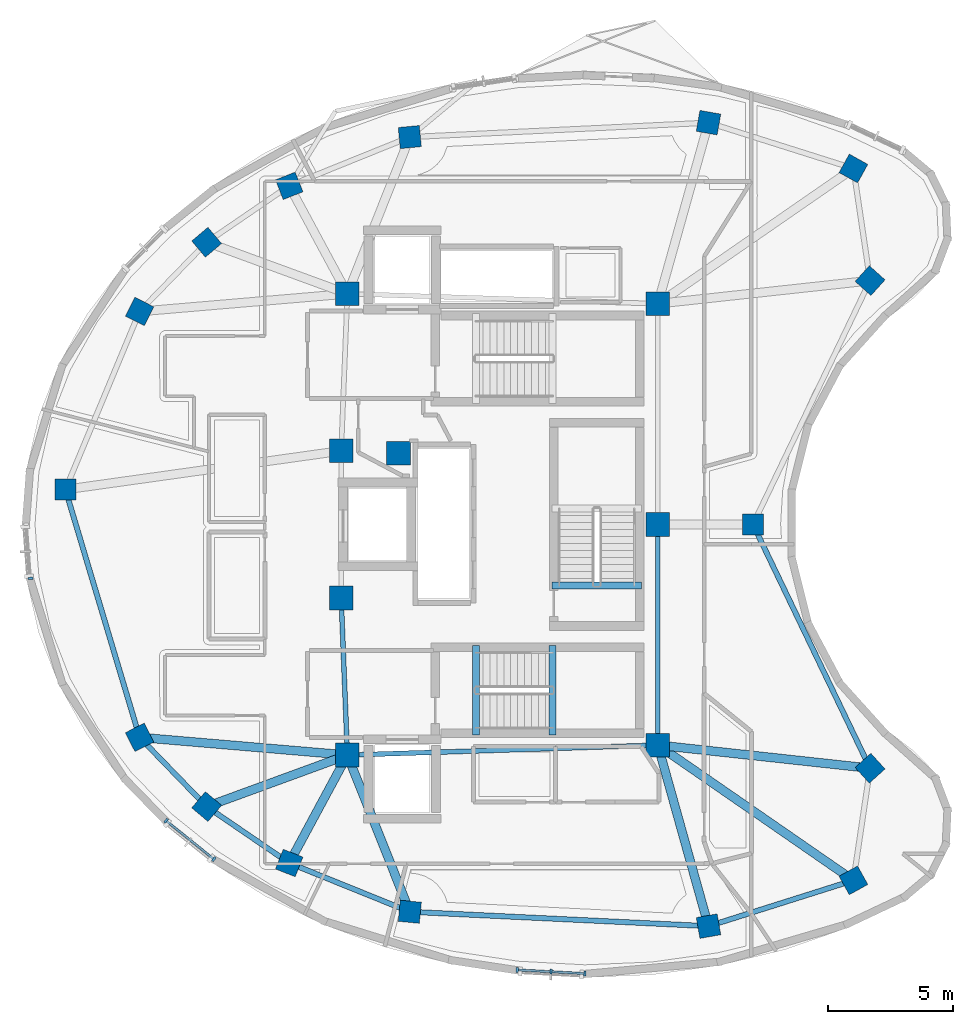
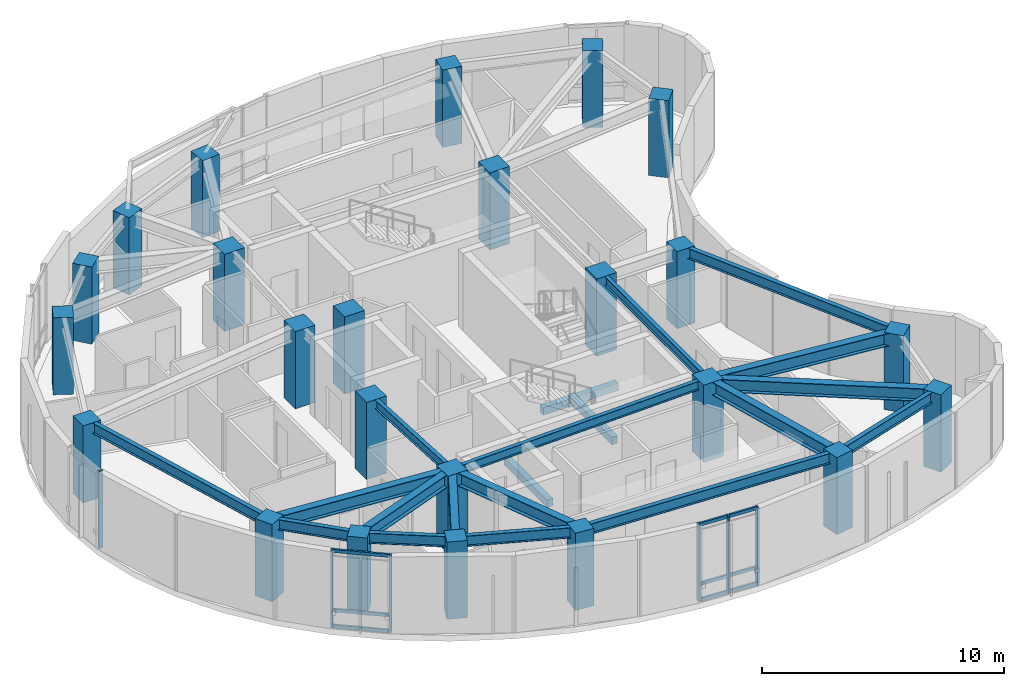
# One storey, part 1 of 10: 24 columns, 20 beams, 15 members, 3 elements without a shape of their own.
"""IFC4 building model written with IfcOpenShell, lengths in metres."""

from ifc_helpers import new_model, si_unit, direction, frame, origin, origin_2d, place, context, subcontext, project, spatial, rectangle, i_section, extrude, material, layer, layer_set, material_profile, profile_set, type_object, element, aggregate, save


model = new_model("IFC4")

# Units and contexts
model_context = context("Model", 3, precision=1e-05, world=origin(), true_north=direction((0.0, 1.0)))
body_context = subcontext(model_context, "Body", "Model", "MODEL_VIEW")
ifc_project = project(units=[si_unit("LENGTHUNIT", "METRE"), si_unit("AREAUNIT", "SQUARE_METRE"), si_unit("VOLUMEUNIT", "CUBIC_METRE"), si_unit("PLANEANGLEUNIT", "RADIAN"), si_unit("MASSUNIT", "GRAM", prefix="KILO")], contexts=[model_context])

# Site, building, storey
site_placement = place(None, origin())
site = spatial("IfcSite", under=ifc_project, at=site_placement, CompositionType="ELEMENT")
building_placement = place(site_placement, origin())
building = spatial("IfcBuilding", under=site, at=building_placement, Name="Korentha Bioscience Tower", CompositionType="ELEMENT")
storey_placement = place(building_placement, frame((0.0, 0.0, 306.0)))
storey = spatial("IfcBuildingStorey", under=building, at=storey_placement, Name="L70", CompositionType="ELEMENT", Elevation=306.0)

# Columns
ifc_material_1 = material(Name="Concrete C65", Category="concrete")
ifc_material_profile_1 = material_profile(ifc_material_1, rectangle(XDim=0.949951171875, YDim=0.949951171875, at=origin_2d()), Name="Concrete C65")
ifc_profile_set_1 = profile_set([ifc_material_profile_1], Name="Concrete C65 (COL-CP09)")
column_type_1 = type_object("IfcColumnType", Name="Core Pilaster Column RC 950x950", PredefinedType="PILASTER", material=ifc_profile_set_1)
for number, where, z_axis, x_axis, name in (
    (1, (37.550048828125, 35.85009765625, -0.00048828125), (0.0, 0.0, 1.0), (1.0, 0.0, 0.0), "L70 Core Pilaster CP-01"),
    (2, (25.10009765625, 36.25, -0.00048828125), (0.0, 0.0, 1.0), (1.0, 0.0, 0.0), "L70 Core Pilaster CP-02"),
    (3, (24.85009765625, 29.949951171875, -0.00048828125), (0.0, 0.0, 1.0), (1.0, 0.0, 0.0), "L70 Core Pilaster CP-03"),
    (4, (27.14990234375, 29.85009765625, -0.00048828125), (0.0, 0.0, 1.0), (1.0, 0.0, 0.0), "L70 Core Pilaster CP-04"),
    (5, (24.85009765625, 24.050048828125, -0.00048828125), (0.0, 0.0, 1.0), (1.0, 0.0, 0.0), "L70 Core Pilaster CP-05"),
    (6, (25.10009765625, 17.75, -0.00048828125), (0.0, 0.0, 1.0), (1.0, 0.0, 0.0), "L70 Core Pilaster CP-06"),
    (7, (37.550048828125, 18.14990234375, -0.00048828125), (0.0, 0.0, 1.0), (1.0, 0.0, 0.0), "L70 Core Pilaster CP-07"),
    (8, (37.550048828125, 27.0, -0.00048828125), (0.0, 0.0, 1.0), (1.0, 0.0, 0.0), "L70 Core Pilaster CP-08"),
):
    element("IfcColumn", number, at=place(storey_placement, frame(where, z_axis=z_axis, x_axis=x_axis)), inside=storey, type_object=column_type_1, Name=name, PredefinedType="PILASTER", context=body_context, shape_type="SweptSolid", body=[
        extrude(rectangle(XDim=0.949951171875, YDim=0.949951171875, at=origin_2d()), origin(), (0.0, 0.0, 1.0), 3.90087890625),
    ])
ifc_material_2 = material(Name="Concrete C50", Category="concrete")
ifc_material_profile_2 = material_profile(ifc_material_2, rectangle(XDim=0.85009765625, YDim=0.85009765625, at=origin_2d()), Name="Concrete C50")
ifc_profile_set_2 = profile_set([ifc_material_profile_2], Name="Concrete C50 (COL-P08)")
column_type_2 = type_object("IfcColumnType", Name="Perimeter Column RC 850x850", PredefinedType="COLUMN", material=ifc_profile_set_2)
for number, where, z_axis, x_axis, name in (
    (9, (45.393310546875, 41.273681640625, -0.00048828125), (0.0, 0.0, 1.0), (-0.874535078577, 0.484962262797, 0.0), "L70 Perimeter Column 01"),
    (10, (39.581787109375, 43.110595703125, -0.00048828125), (0.0, 0.0, 1.0), (-0.984868307662, 0.173304404339, 0.0), "L70 Perimeter Column 02"),
    (11, (27.60205078125, 42.53369140625, -0.00048828125), (0.0, 0.0, 1.0), (0.995462868748, 0.095150811579, 0.0), "L70 Perimeter Column 03"),
    (12, (22.766357421875, 40.57861328125, -0.00048828125), (0.0, 0.0, 1.0), (0.930225540858, 0.366988341962, 0.0), "L70 Perimeter Column 04"),
    (13, (19.455810546875, 38.315185546875, -0.00048828125), (0.0, 0.0, 1.0), (0.764246456939, 0.644924300253, 0.0), "L70 Perimeter Column 05"),
    (14, (16.76708984375, 35.53955078125, -0.00048828125), (0.0, 0.0, 1.0), (0.453057191132, 0.891481453292, 0.0), "L70 Perimeter Column 06"),
    (15, (13.791015625, 28.398681640625, -0.00048828125), (0.0, 0.0, 1.0), (0.0, 1.0, 0.0), "L70 Perimeter Column 07"),
    (16, (16.76708984375, 18.46044921875, -0.00048828125), (0.0, 0.0, 1.0), (-0.453057191132, 0.891481453292, 0.0), "L70 Perimeter Column 08"),
    (17, (19.455810546875, 15.684814453125, -0.00048828125), (0.0, 0.0, 1.0), (-0.764246456939, 0.644924300253, 0.0), "L70 Perimeter Column 09"),
    (18, (22.766357421875, 13.42138671875, -0.00048828125), (0.0, 0.0, 1.0), (-0.930225540858, 0.366988341962, 0.0), "L70 Perimeter Column 10"),
    (19, (27.60205078125, 11.46630859375, -0.00048828125), (0.0, 0.0, 1.0), (-0.995462868748, 0.095150811579, 0.0), "L70 Perimeter Column 11"),
    (20, (39.581787109375, 10.889404296875, -0.00048828125), (0.0, 0.0, 1.0), (0.984868307662, 0.173304404339, 0.0), "L70 Perimeter Column 12"),
    (21, (45.393310546875, 12.726318359375, -0.00048828125), (0.0, 0.0, 1.0), (0.874535078577, 0.484962262797, 0.0), "L70 Perimeter Column 13"),
    (22, (46.060791015625, 17.22265625, -0.00048828125), (0.0, 0.0, 1.0), (-0.669130606359, 0.743144825477, 0.0), "L70 Perimeter Column 14"),
    (23, (41.36572265625, 27.0, -0.00048828125), (0.0, 0.0, 1.0), (0.0, 1.0, 0.0), "L70 Perimeter Column 15"),
    (24, (46.060791015625, 36.77734375, -0.00048828125), (0.0, 0.0, 1.0), (0.669130606359, 0.743144825477, 0.0), "L70 Perimeter Column 16"),
):
    element("IfcColumn", number, at=place(storey_placement, frame(where, z_axis=z_axis, x_axis=x_axis)), inside=storey, type_object=column_type_2, Name=name, PredefinedType="COLUMN", context=body_context, shape_type="SweptSolid", body=[
        extrude(rectangle(XDim=0.85009765625, YDim=0.85009765625, at=origin_2d()), origin(), (0.0, 0.0, 1.0), 3.90087890625),
    ])

# Beams
ifc_material_profile_3 = material_profile(ifc_material_2, rectangle(XDim=0.280029296875, YDim=0.3798828125, at=origin_2d()), Name="Concrete C50")
ifc_profile_set_3 = profile_set([ifc_material_profile_3], Name="Concrete C50 (ST-HB380)")
beam_type_1 = type_object("IfcBeamType", Name="Concrete Stair Header Beam RC 280x380", PredefinedType="BEAM", material=ifc_profile_set_3)
for number, where, z_axis, x_axis, name in (
    (25, (30.25, 18.550048828125, -0.18994140625), (0.0, 1.0, 0.0), (-1.0, 0.0, 0.0), "L70 ST-2 Concrete Stair Header Beam"),
    (26, (33.330078125, 18.550048828125, 1.909912109375), (0.0, 1.0, 0.0), (-1.0, 0.0, 0.0), "L70 ST-2 Half-Landing Header Beam 1"),
    (27, (36.89990234375, 24.550048828125, -0.18994140625), (-1.0, 0.0, 0.0), (0.0, -1.0, 0.0), "L70 ST-3 Concrete Stair Header Beam"),
):
    element("IfcBeam", number, at=place(storey_placement, frame(where, z_axis=z_axis, x_axis=x_axis)), inside=storey, type_object=beam_type_1, Name=name, PredefinedType="BEAM", context=body_context, shape_type="SweptSolid", body=[
        extrude(rectangle(XDim=0.280029296875, YDim=0.3798828125, at=origin_2d()), origin(), (0.0, 0.0, 1.0), 3.599853515625),
    ])
ifc_material_3 = material(Name="Steel S355", Category="steel")
ifc_material_profile_4 = material_profile(ifc_material_3, i_section(OverallWidth=0.18994140625, OverallDepth=0.45703125, WebThickness=0.009033203125, FlangeThickness=0.014404296875, at=origin_2d()), Name="Steel S355")
ifc_profile_set_4 = profile_set([ifc_material_profile_4], Name="Steel S355 (MB-460)")
beam_type_2 = type_object("IfcBeamType", Name="Mid-Ring Tie Girder W460x74", PredefinedType="BEAM", material=ifc_profile_set_4)
beam_1_placement = place(storey_placement, frame((24.85009765625, 24.050048828125, 3.67138671875), z_axis=(0.039651025576, -0.999213588864, 0.0), x_axis=(0.999213588864, 0.039651025576, 0.0)))
element("IfcBeam", 28, at=beam_1_placement, inside=storey, type_object=beam_type_2, Name="L70 Core Ring Tie Girder 04", PredefinedType="BEAM", context=body_context, shape_type="SweptSolid", body=[
    extrude(i_section(OverallWidth=0.18994140625, OverallDepth=0.45703125, WebThickness=0.009033203125, FlangeThickness=0.014404296875, at=origin_2d()), origin(), (0.0, 0.0, 1.0), 6.304931640625),
])
beam_2_placement = place(storey_placement, frame((25.10009765625, 17.75, 3.67138671875), z_axis=(0.999484526071, 0.032104238723, 0.0), x_axis=(-0.032104238723, 0.999484526071, 0.0)))
element("IfcBeam", 29, at=beam_2_placement, inside=storey, type_object=beam_type_2, Name="L70 Core Ring Tie Girder 05", PredefinedType="BEAM", context=body_context, shape_type="SweptSolid", body=[
    extrude(i_section(OverallWidth=0.18994140625, OverallDepth=0.45703125, WebThickness=0.009033203125, FlangeThickness=0.014404296875, at=origin_2d()), origin(), (0.0, 0.0, 1.0), 12.456298828125),
])
beam_3_placement = place(storey_placement, frame((37.550048828125, 18.14990234375, 3.67138671875), z_axis=(0.0, 1.0, 0.0), x_axis=(-1.0, 0.0, 0.0)))
element("IfcBeam", 30, at=beam_3_placement, inside=storey, type_object=beam_type_2, Name="L70 Core Ring Tie Girder 06", PredefinedType="BEAM", context=body_context, shape_type="SweptSolid", body=[
    extrude(i_section(OverallWidth=0.18994140625, OverallDepth=0.45703125, WebThickness=0.009033203125, FlangeThickness=0.014404296875, at=origin_2d()), origin(), (0.0, 0.0, 1.0), 8.85009765625),
])

# Curtain wall, member
ifc_material_4 = material(Name="Thermally Broken Aluminium Frame", Category="aluminium")
ifc_layer = layer(ifc_material_4, 0.219970703125, Name="Thermally Broken Aluminium Frame")
ifc_layer_set = layer_set([ifc_layer], Name="Thermally Broken Aluminium Frame (CW-T2)")
curtain_wall_type = type_object("IfcCurtainWallType", Name="Solar-Screened Lab Unitised Curtain Wall CW-T2", PredefinedType="USERDEFINED", material=ifc_layer_set)
curtain_wall_1_placement = place(storey_placement, origin())
curtain_wall_1 = element("IfcCurtainWall", 31, at=curtain_wall_1_placement, inside=storey, type_object=curtain_wall_type, Name="L70 Curtain Wall 19", ObjectType="UNITISED", PredefinedType="USERDEFINED")
ifc_material_5 = material(Name="Anodised Aluminium 6063-T6", Category="aluminium")
ifc_material_profile_5 = material_profile(ifc_material_5, rectangle(XDim=0.090087890625, YDim=0.199951171875, at=origin_2d()), Name="Anodised Aluminium 6063-T6")
ifc_profile_set_5 = profile_set([ifc_material_profile_5], Name="Anodised Aluminium 6063-T6 (CW-MUL)")
member_type_1 = type_object("IfcMemberType", Name="Mullion RECT 90x200", PredefinedType="MULLION", material=ifc_profile_set_5)
member_1_placement = place(storey_placement, frame((12.38427734375, 24.83740234375, 0.0), z_axis=(0.0, 0.0, 1.0), x_axis=(0.075073021346, -0.997178039001, 0.0)))
member_1 = element("IfcMember", 32, at=member_1_placement, type_object=member_type_1, Name="CW-L70-19 Mullion 2", PredefinedType="MULLION", context=body_context, shape_type="SweptSolid", body=[
    extrude(rectangle(XDim=0.090087890625, YDim=0.199951171875, at=origin_2d()), origin(), (0.0, 0.0, 1.0), 3.89990234375),
])
aggregate(curtain_wall_1, [member_1])

# Curtain wall, members
curtain_wall_2_placement = place(storey_placement, origin())
curtain_wall_2 = element("IfcCurtainWall", 33, at=curtain_wall_2_placement, inside=storey, type_object=curtain_wall_type, Name="L70 Curtain Wall 25", ObjectType="UNITISED", PredefinedType="USERDEFINED")
member_2_placement = place(storey_placement, frame((17.829345703125, 15.1201171875, 0.0), z_axis=(0.0, 0.0, 1.0), x_axis=(0.778807101094, -0.62726350068, 0.0)))
member_2 = element("IfcMember", 34, at=member_2_placement, type_object=member_type_1, Name="CW-L70-25 Mullion 1", PredefinedType="MULLION", context=body_context, shape_type="SweptSolid", body=[
    extrude(rectangle(XDim=0.090087890625, YDim=0.199951171875, at=origin_2d()), origin(), (0.0, 0.0, 1.0), 3.89990234375),
])
member_3_placement = place(storey_placement, frame((19.74609375, 13.576171875, 0.0), z_axis=(0.0, 0.0, 1.0), x_axis=(0.778807101094, -0.62726350068, 0.0)))
member_3 = element("IfcMember", 35, at=member_3_placement, type_object=member_type_1, Name="CW-L70-25 Mullion 2", PredefinedType="MULLION", context=body_context, shape_type="SweptSolid", body=[
    extrude(rectangle(XDim=0.090087890625, YDim=0.199951171875, at=origin_2d()), origin(), (0.0, 0.0, 1.0), 3.89990234375),
])

curtain_wall_3_placement = place(storey_placement, origin())
curtain_wall_3 = element("IfcCurtainWall", 36, at=curtain_wall_3_placement, inside=storey, type_object=curtain_wall_type, Name="L70 Curtain Wall 31", ObjectType="UNITISED", PredefinedType="USERDEFINED")
member_4_placement = place(storey_placement, frame((31.909423828125, 9.13623046875, 0.0), z_axis=(0.0, 0.0, 1.0), x_axis=(0.998526001182, -0.054275454513, 0.0)))
member_4 = element("IfcMember", 37, at=member_4_placement, type_object=member_type_1, Name="CW-L70-31 Mullion 1", PredefinedType="MULLION", context=body_context, shape_type="SweptSolid", body=[
    extrude(rectangle(XDim=0.090087890625, YDim=0.199951171875, at=origin_2d()), origin(), (0.0, 0.0, 1.0), 3.89990234375),
])
member_5_placement = place(storey_placement, frame((33.267333984375, 9.0625, 0.0), z_axis=(0.0, 0.0, 1.0), x_axis=(0.998526001182, -0.054275454513, 0.0)))
member_5 = element("IfcMember", 38, at=member_5_placement, type_object=member_type_1, Name="CW-L70-31 Mullion 2", PredefinedType="MULLION", context=body_context, shape_type="SweptSolid", body=[
    extrude(rectangle(XDim=0.090087890625, YDim=0.199951171875, at=origin_2d()), origin(), (0.0, 0.0, 1.0), 3.89990234375),
])
member_6_placement = place(storey_placement, frame((34.625244140625, 8.988525390625, 0.0), z_axis=(0.0, 0.0, 1.0), x_axis=(0.998526001182, -0.054275454513, 0.0)))
member_6 = element("IfcMember", 39, at=member_6_placement, type_object=member_type_1, Name="CW-L70-31 Mullion 3", PredefinedType="MULLION", context=body_context, shape_type="SweptSolid", body=[
    extrude(rectangle(XDim=0.090087890625, YDim=0.199951171875, at=origin_2d()), origin(), (0.0, 0.0, 1.0), 3.89990234375),
])

# Beams
ifc_material_profile_6 = material_profile(ifc_material_3, i_section(OverallWidth=0.208984375, OverallDepth=0.532958984375, WebThickness=0.01025390625, FlangeThickness=0.015625, at=origin_2d()), Name="Steel S355")
ifc_profile_set_6 = profile_set([ifc_material_profile_6], Name="Steel S355 (SB-530)")
beam_type_3 = type_object("IfcBeamType", Name="Perimeter Ring Spandrel Girder W530x92", PredefinedType="SPANDREL", material=ifc_profile_set_6)
beam_4_placement = place(storey_placement, frame((13.791015625, 28.398681640625, 3.633544921875), z_axis=(0.286870707223, -0.957969309183, 0.0), x_axis=(0.957969309183, 0.286870707223, 0.0)))
element("IfcBeam", 40, at=beam_4_placement, inside=storey, type_object=beam_type_3, Name="L70 Perimeter Spandrel Girder 07", PredefinedType="SPANDREL", context=body_context, shape_type="SweptSolid", body=[
    extrude(i_section(OverallWidth=0.208984375, OverallDepth=0.532958984375, WebThickness=0.01025390625, FlangeThickness=0.015625, at=origin_2d()), origin(), (0.0, 0.0, 1.0), 10.374267578125),
])
beam_5_placement = place(storey_placement, frame((16.76708984375, 18.46044921875, 3.633544921875), z_axis=(0.695771790517, -0.718262915317, 0.0), x_axis=(0.718262915317, 0.695771790517, 0.0)))
element("IfcBeam", 41, at=beam_5_placement, inside=storey, type_object=beam_type_3, Name="L70 Perimeter Spandrel Girder 08", PredefinedType="SPANDREL", context=body_context, shape_type="SweptSolid", body=[
    extrude(i_section(OverallWidth=0.208984375, OverallDepth=0.532958984375, WebThickness=0.01025390625, FlangeThickness=0.015625, at=origin_2d()), origin(), (0.0, 0.0, 1.0), 3.8642578125),
])
beam_6_placement = place(storey_placement, frame((19.455810546875, 15.684814453125, 3.633544921875), z_axis=(0.825502824703, -0.564397985828, 0.0), x_axis=(0.564397985828, 0.825502824703, 0.0)))
element("IfcBeam", 42, at=beam_6_placement, inside=storey, type_object=beam_type_3, Name="L70 Perimeter Spandrel Girder 09", PredefinedType="SPANDREL", context=body_context, shape_type="SweptSolid", body=[
    extrude(i_section(OverallWidth=0.208984375, OverallDepth=0.532958984375, WebThickness=0.01025390625, FlangeThickness=0.015625, at=origin_2d()), origin(), (0.0, 0.0, 1.0), 4.01025390625),
])
beam_7_placement = place(storey_placement, frame((22.766357421875, 13.42138671875, 3.633544921875), z_axis=(0.92709518526, -0.374825982913, 0.0), x_axis=(0.374825982913, 0.92709518526, 0.0)))
element("IfcBeam", 43, at=beam_7_placement, inside=storey, type_object=beam_type_3, Name="L70 Perimeter Spandrel Girder 10", PredefinedType="SPANDREL", context=body_context, shape_type="SweptSolid", body=[
    extrude(i_section(OverallWidth=0.208984375, OverallDepth=0.532958984375, WebThickness=0.01025390625, FlangeThickness=0.015625, at=origin_2d()), origin(), (0.0, 0.0, 1.0), 5.216064453125),
])
beam_8_placement = place(storey_placement, frame((27.60205078125, 11.46630859375, 3.633544921875), z_axis=(0.998842480099, -0.04810093502, 0.0), x_axis=(0.04810093502, 0.998842480099, 0.0)))
element("IfcBeam", 44, at=beam_8_placement, inside=storey, type_object=beam_type_3, Name="L70 Perimeter Spandrel Girder 11", PredefinedType="SPANDREL", context=body_context, shape_type="SweptSolid", body=[
    extrude(i_section(OverallWidth=0.208984375, OverallDepth=0.532958984375, WebThickness=0.01025390625, FlangeThickness=0.015625, at=origin_2d()), origin(), (0.0, 0.0, 1.0), 11.99365234375),
])
beam_9_placement = place(storey_placement, frame((39.581787109375, 10.889404296875, 3.633544921875), z_axis=(0.953502720539, 0.301384408895, 0.0), x_axis=(-0.301384408895, 0.953502720539, 0.0)))
element("IfcBeam", 45, at=beam_9_placement, inside=storey, type_object=beam_type_3, Name="L70 Perimeter Spandrel Girder 12", PredefinedType="SPANDREL", context=body_context, shape_type="SweptSolid", body=[
    extrude(i_section(OverallWidth=0.208984375, OverallDepth=0.532958984375, WebThickness=0.01025390625, FlangeThickness=0.015625, at=origin_2d()), origin(), (0.0, 0.0, 1.0), 6.094970703125),
])
beam_10_placement = place(storey_placement, frame((46.060791015625, 17.22265625, 3.633544921875), z_axis=(-0.432876684637, 0.901453146812, 0.0), x_axis=(-0.901453146812, -0.432876684637, 0.0)))
element("IfcBeam", 46, at=beam_10_placement, inside=storey, type_object=beam_type_3, Name="L70 Perimeter Spandrel Girder 14", PredefinedType="SPANDREL", context=body_context, shape_type="SweptSolid", body=[
    extrude(i_section(OverallWidth=0.208984375, OverallDepth=0.532958984375, WebThickness=0.01025390625, FlangeThickness=0.015625, at=origin_2d()), origin(), (0.0, 0.0, 1.0), 10.84619140625),
])
ifc_material_profile_7 = material_profile(ifc_material_3, i_section(OverallWidth=0.35009765625, OverallDepth=0.64990234375, WebThickness=0.01611328125, FlangeThickness=0.02490234375, at=origin_2d()), Name="Steel S355")
ifc_profile_set_7 = profile_set([ifc_material_profile_7], Name="Steel S355 (RB-650)")
beam_type_4 = type_object("IfcBeamType", Name="Radial Laboratory Girder CVS 650x208", PredefinedType="BEAM", material=ifc_profile_set_7)
beam_11_placement = place(storey_placement, frame((25.10009765625, 17.75, 3.574951171875), z_axis=(-0.996385295821, 0.084949056921, 0.0), x_axis=(-0.084949056921, -0.996385295821, 0.0)))
element("IfcBeam", 47, at=beam_11_placement, inside=storey, type_object=beam_type_4, Name="L70 Radial Girder 08", PredefinedType="BEAM", context=body_context, shape_type="SweptSolid", body=[
    extrude(i_section(OverallWidth=0.35009765625, OverallDepth=0.64990234375, WebThickness=0.01611328125, FlangeThickness=0.02490234375, at=origin_2d()), origin(), (0.0, 0.0, 1.0), 8.36328125),
])
beam_12_placement = place(storey_placement, frame((25.10009765625, 17.75, 3.574951171875), z_axis=(-0.9391119825, -0.343611240104, 0.0), x_axis=(0.343611240104, -0.9391119825, 0.0)))
element("IfcBeam", 48, at=beam_12_placement, inside=storey, type_object=beam_type_4, Name="L70 Radial Girder 09", PredefinedType="BEAM", context=body_context, shape_type="SweptSolid", body=[
    extrude(i_section(OverallWidth=0.35009765625, OverallDepth=0.64990234375, WebThickness=0.01611328125, FlangeThickness=0.02490234375, at=origin_2d()), origin(), (0.0, 0.0, 1.0), 6.01025390625),
])
beam_13_placement = place(storey_placement, frame((25.10009765625, 17.75, 3.574951171875), z_axis=(-0.474564560434, -0.88022069845, 0.0), x_axis=(0.88022069845, -0.474564560434, 0.0)))
element("IfcBeam", 49, at=beam_13_placement, inside=storey, type_object=beam_type_4, Name="L70 Radial Girder 10", PredefinedType="BEAM", context=body_context, shape_type="SweptSolid", body=[
    extrude(i_section(OverallWidth=0.35009765625, OverallDepth=0.64990234375, WebThickness=0.01611328125, FlangeThickness=0.02490234375, at=origin_2d()), origin(), (0.0, 0.0, 1.0), 4.917724609375),
])
beam_14_placement = place(storey_placement, frame((25.10009765625, 17.75, 3.574951171875), z_axis=(0.369921439624, -0.929063037962, 0.0), x_axis=(0.929063037962, 0.369921439624, 0.0)))
element("IfcBeam", 50, at=beam_14_placement, inside=storey, type_object=beam_type_4, Name="L70 Radial Girder 11", PredefinedType="BEAM", context=body_context, shape_type="SweptSolid", body=[
    extrude(i_section(OverallWidth=0.35009765625, OverallDepth=0.64990234375, WebThickness=0.01611328125, FlangeThickness=0.02490234375, at=origin_2d()), origin(), (0.0, 0.0, 1.0), 6.763427734375),
])
beam_15_placement = place(storey_placement, frame((37.550048828125, 18.14990234375, 3.574951171875), z_axis=(0.269482185926, -0.963005374579, 0.0), x_axis=(0.963005374579, 0.269482185926, 0.0)))
element("IfcBeam", 51, at=beam_15_placement, inside=storey, type_object=beam_type_4, Name="L70 Radial Girder 12", PredefinedType="BEAM", context=body_context, shape_type="SweptSolid", body=[
    extrude(i_section(OverallWidth=0.35009765625, OverallDepth=0.64990234375, WebThickness=0.01611328125, FlangeThickness=0.02490234375, at=origin_2d()), origin(), (0.0, 0.0, 1.0), 7.539306640625),
])
beam_16_placement = place(storey_placement, frame((37.550048828125, 18.14990234375, 3.574951171875), z_axis=(0.822504520154, -0.56875857297, 0.0), x_axis=(0.56875857297, 0.822504520154, 0.0)))
element("IfcBeam", 52, at=beam_16_placement, inside=storey, type_object=beam_type_4, Name="L70 Radial Girder 13", PredefinedType="BEAM", context=body_context, shape_type="SweptSolid", body=[
    extrude(i_section(OverallWidth=0.35009765625, OverallDepth=0.64990234375, WebThickness=0.01611328125, FlangeThickness=0.02490234375, at=origin_2d()), origin(), (0.0, 0.0, 1.0), 9.535888671875),
])
beam_17_placement = place(storey_placement, frame((37.550048828125, 18.14990234375, 3.574951171875), z_axis=(0.994117259507, -0.108309160975, 0.0), x_axis=(0.108309160975, 0.994117259507, 0.0)))
element("IfcBeam", 53, at=beam_17_placement, inside=storey, type_object=beam_type_4, Name="L70 Radial Girder 14", PredefinedType="BEAM", context=body_context, shape_type="SweptSolid", body=[
    extrude(i_section(OverallWidth=0.35009765625, OverallDepth=0.64990234375, WebThickness=0.01611328125, FlangeThickness=0.02490234375, at=origin_2d()), origin(), (0.0, 0.0, 1.0), 8.56103515625),
])

# Member
ifc_material_profile_8 = material_profile(ifc_material_5, rectangle(XDim=0.090087890625, YDim=0.159912109375, at=origin_2d()), Name="Anodised Aluminium 6063-T6")
ifc_profile_set_8 = profile_set([ifc_material_profile_8], Name="Anodised Aluminium 6063-T6 (CW-TRN)")
member_type_2 = type_object("IfcMemberType", Name="Transom RECT 90x160", PredefinedType="USERDEFINED", material=ifc_profile_set_8)
member_7_placement = place(storey_placement, frame((17.864501953125, 15.091796875, 0.044921875), z_axis=(0.778815384678, -0.627253215687, 0.0), x_axis=(0.627253215687, 0.778815384678, 0.0)))
member_7 = element("IfcMember", 54, at=member_7_placement, type_object=member_type_2, Name="CW-L70-25 Bay 1 Transom 1", ObjectType="TRANSOM", PredefinedType="USERDEFINED", context=body_context, shape_type="SweptSolid", body=[
    extrude(rectangle(XDim=0.090087890625, YDim=0.159912109375, at=origin_2d()), origin(), (0.0, 0.0, 1.0), 2.37109375),
])

member_8_placement = place(storey_placement, frame((17.864501953125, 15.091796875, 0.85009765625), z_axis=(0.778815384678, -0.627253215687, 0.0), x_axis=(0.627253215687, 0.778815384678, 0.0)))
member_8 = element("IfcMember", 55, at=member_8_placement, type_object=member_type_2, Name="CW-L70-25 Bay 1 Transom 2", ObjectType="TRANSOM", PredefinedType="USERDEFINED", context=body_context, shape_type="SweptSolid", body=[
    extrude(rectangle(XDim=0.090087890625, YDim=0.159912109375, at=origin_2d()), origin(), (0.0, 0.0, 1.0), 2.37109375),
])

member_9_placement = place(storey_placement, frame((17.864501953125, 15.091796875, 3.85498046875), z_axis=(0.778815384678, -0.627253215687, 0.0), x_axis=(0.627253215687, 0.778815384678, 0.0)))
member_9 = element("IfcMember", 56, at=member_9_placement, type_object=member_type_2, Name="CW-L70-25 Bay 1 Transom 3", ObjectType="TRANSOM", PredefinedType="USERDEFINED", context=body_context, shape_type="SweptSolid", body=[
    extrude(rectangle(XDim=0.090087890625, YDim=0.159912109375, at=origin_2d()), origin(), (0.0, 0.0, 1.0), 2.37109375),
])

aggregate(curtain_wall_2, [member_2, member_3, member_7, member_8, member_9])

member_10_placement = place(storey_placement, frame((31.95458984375, 9.1337890625, 0.044921875), z_axis=(0.998518368514, -0.054415693874, 0.0), x_axis=(0.054415693874, 0.998518368514, 0.0)))
member_10 = element("IfcMember", 57, at=member_10_placement, type_object=member_type_2, Name="CW-L70-31 Bay 1 Transom 1", ObjectType="TRANSOM", PredefinedType="USERDEFINED", context=body_context, shape_type="SweptSolid", body=[
    extrude(rectangle(XDim=0.090087890625, YDim=0.159912109375, at=origin_2d()), origin(), (0.0, 0.0, 1.0), 1.269775390625),
])

member_11_placement = place(storey_placement, frame((31.95458984375, 9.1337890625, 0.85009765625), z_axis=(0.998518368514, -0.054415693874, 0.0), x_axis=(0.054415693874, 0.998518368514, 0.0)))
member_11 = element("IfcMember", 58, at=member_11_placement, type_object=member_type_2, Name="CW-L70-31 Bay 1 Transom 2", ObjectType="TRANSOM", PredefinedType="USERDEFINED", context=body_context, shape_type="SweptSolid", body=[
    extrude(rectangle(XDim=0.090087890625, YDim=0.159912109375, at=origin_2d()), origin(), (0.0, 0.0, 1.0), 1.269775390625),
])

member_12_placement = place(storey_placement, frame((31.95458984375, 9.1337890625, 3.85498046875), z_axis=(0.998518368514, -0.054415693874, 0.0), x_axis=(0.054415693874, 0.998518368514, 0.0)))
member_12 = element("IfcMember", 59, at=member_12_placement, type_object=member_type_2, Name="CW-L70-31 Bay 1 Transom 3", ObjectType="TRANSOM", PredefinedType="USERDEFINED", context=body_context, shape_type="SweptSolid", body=[
    extrude(rectangle(XDim=0.090087890625, YDim=0.159912109375, at=origin_2d()), origin(), (0.0, 0.0, 1.0), 1.269775390625),
])

member_13_placement = place(storey_placement, frame((33.312255859375, 9.059814453125, 0.044921875), z_axis=(0.99852936305, -0.054213569576, 0.0), x_axis=(0.054213569576, 0.99852936305, 0.0)))
member_13 = element("IfcMember", 60, at=member_13_placement, type_object=member_type_2, Name="CW-L70-31 Bay 2 Transom 1", ObjectType="TRANSOM", PredefinedType="USERDEFINED", context=body_context, shape_type="SweptSolid", body=[
    extrude(rectangle(XDim=0.090087890625, YDim=0.159912109375, at=origin_2d()), origin(), (0.0, 0.0, 1.0), 1.27001953125),
])

member_14_placement = place(storey_placement, frame((33.312255859375, 9.059814453125, 0.85009765625), z_axis=(0.99852936305, -0.054213569576, 0.0), x_axis=(0.054213569576, 0.99852936305, 0.0)))
member_14 = element("IfcMember", 61, at=member_14_placement, type_object=member_type_2, Name="CW-L70-31 Bay 2 Transom 2", ObjectType="TRANSOM", PredefinedType="USERDEFINED", context=body_context, shape_type="SweptSolid", body=[
    extrude(rectangle(XDim=0.090087890625, YDim=0.159912109375, at=origin_2d()), origin(), (0.0, 0.0, 1.0), 1.27001953125),
])

member_15_placement = place(storey_placement, frame((33.312255859375, 9.059814453125, 3.85498046875), z_axis=(0.99852936305, -0.054213569576, 0.0), x_axis=(0.054213569576, 0.99852936305, 0.0)))
member_15 = element("IfcMember", 62, at=member_15_placement, type_object=member_type_2, Name="CW-L70-31 Bay 2 Transom 3", ObjectType="TRANSOM", PredefinedType="USERDEFINED", context=body_context, shape_type="SweptSolid", body=[
    extrude(rectangle(XDim=0.090087890625, YDim=0.159912109375, at=origin_2d()), origin(), (0.0, 0.0, 1.0), 1.27001953125),
])

aggregate(curtain_wall_3, [member_4, member_5, member_6, member_10, member_11, member_12, member_13, member_14, member_15])

save(model, "model.ifc")
